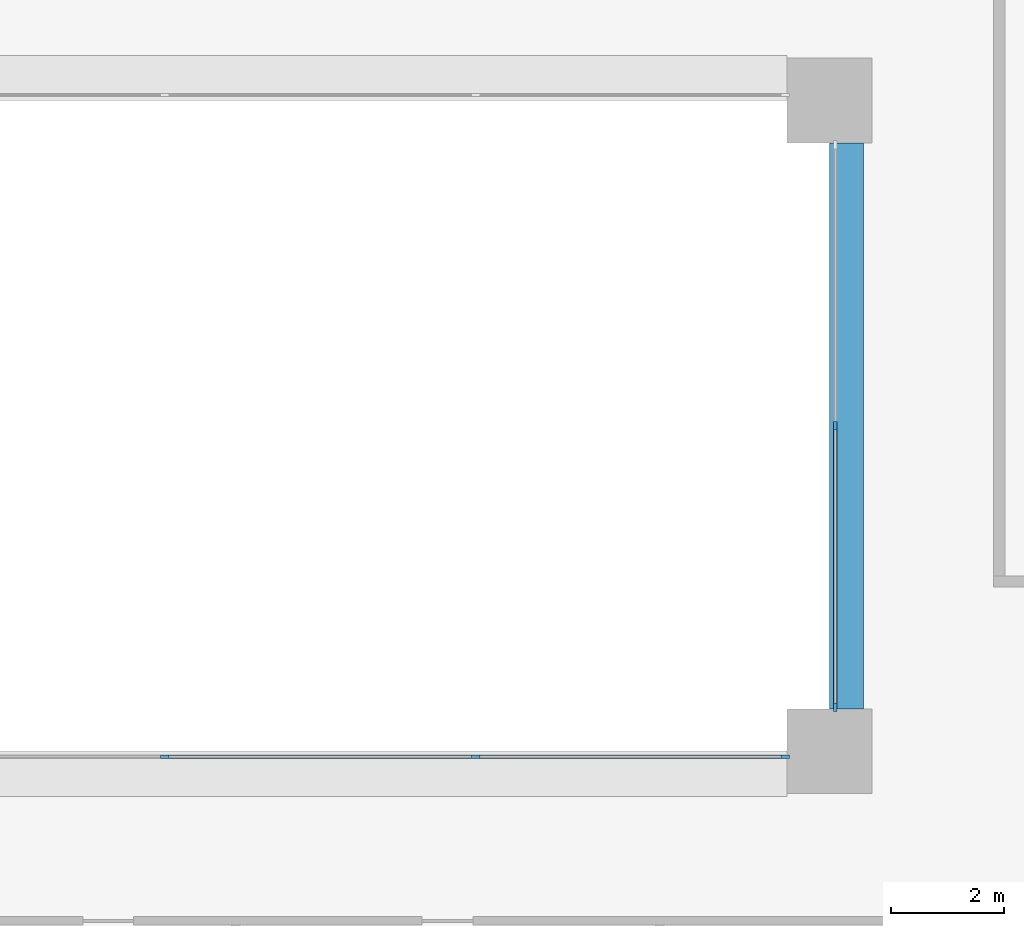
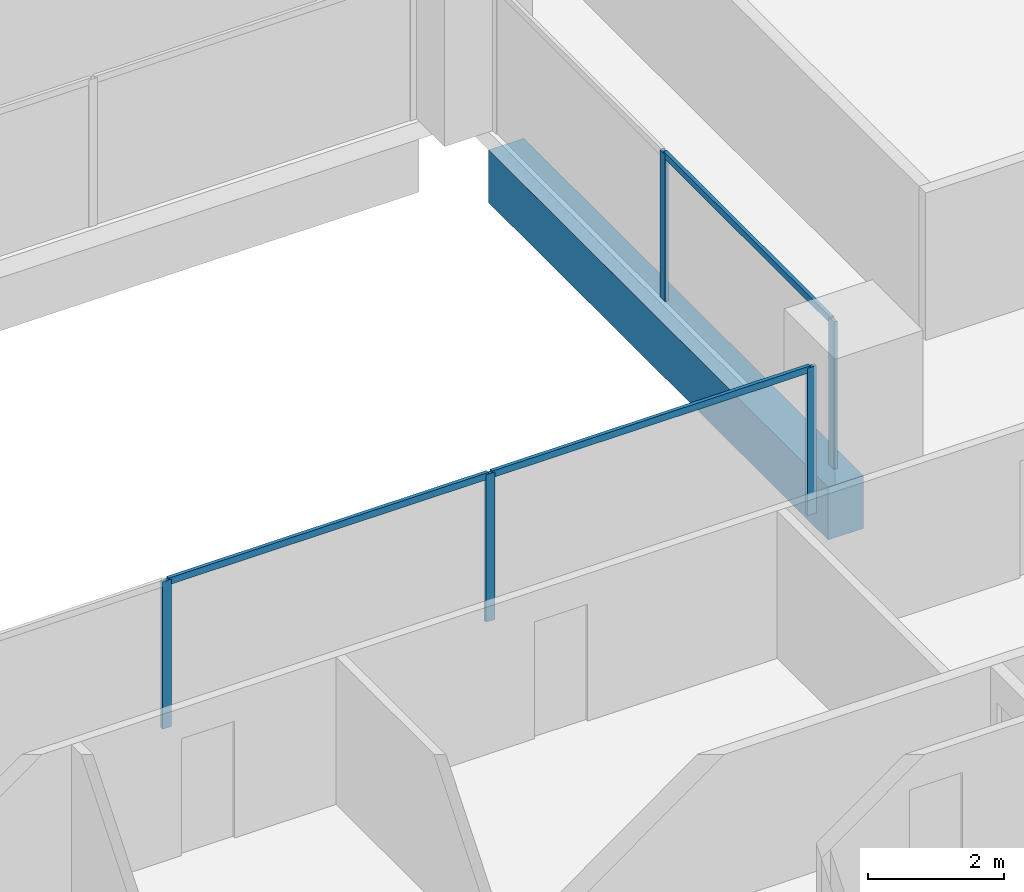
# One storey, part 4 of 20: 8 members, 1 beam, 2 elements without a shape of their own.
"""IFC4 building model written with IfcOpenShell, lengths in metres."""

from ifc_helpers import new_model, si_unit, direction, frame, origin, origin_2d, place, context, subcontext, project, spatial, rectangle, extrude, material, layer, layer_set, material_profile, profile_set, type_object, element, aggregate, save


model = new_model("IFC4")

# Units and contexts
model_context = context("Model", 3, precision=1e-05, world=origin(), true_north=direction((0.0, 1.0)))
body_context = subcontext(model_context, "Body", "Model", "MODEL_VIEW")
ifc_project = project(units=[si_unit("LENGTHUNIT", "METRE"), si_unit("AREAUNIT", "SQUARE_METRE"), si_unit("VOLUMEUNIT", "CUBIC_METRE"), si_unit("PLANEANGLEUNIT", "RADIAN"), si_unit("MASSUNIT", "GRAM", prefix="KILO")], contexts=[model_context])

# Site, building, storey
site_placement = place(None, origin())
site = spatial("IfcSite", under=ifc_project, at=site_placement, CompositionType="ELEMENT")
building_placement = place(site_placement, origin())
building = spatial("IfcBuilding", under=site, at=building_placement, Name="Brigalow Station Residences", CompositionType="ELEMENT")
storey_placement = place(building_placement, frame((0.0, 0.0, 69.89990234375)))
storey = spatial("IfcBuildingStorey", under=building, at=storey_placement, Name="L20", CompositionType="ELEMENT", Elevation=69.89990234375)

# Beam
ifc_material_1 = material(Name="Concrete C65", Category="concrete")
ifc_material_profile_1 = material_profile(ifc_material_1, rectangle(XDim=0.60009765625, YDim=0.949951171875, at=origin_2d()), Name="RC600x950")
ifc_profile_set_1 = profile_set([ifc_material_profile_1], Name="Concrete C65")
beam_type = type_object("IfcBeamType", Name="ATRIUM EDGE GIRDER 600x950 C65", PredefinedType="BEAM", material=ifc_profile_set_1)
beam_placement = place(storey_placement, frame((45.300048828125, 24.75, -0.794921875), z_axis=(0.0, 1.0, 0.0), x_axis=(-1.0, 0.0, 0.0)))
element("IfcBeam", 1, at=beam_placement, inside=storey, type_object=beam_type, Name="ATRIUM EDGE GIRDER 5 L20", PredefinedType="BEAM", context=body_context, shape_type="SweptSolid", body=[
    extrude(rectangle(XDim=0.60009765625, YDim=0.949951171875, at=origin_2d()), origin(), (0.0, 0.0, 1.0), 10.0),
])

# Curtain wall, members
ifc_material_2 = material(Name="Aluminium", Category="aluminium")
ifc_layer = layer(ifc_material_2, 0.14990234375)
ifc_layer_set = layer_set([ifc_layer], Name="ATRIUM FIRE-RATED GLAZING CURTAIN WALL")
curtain_wall_type = type_object("IfcCurtainWallType", Name="ATRIUM FIRE-RATED GLAZING CURTAIN WALL", PredefinedType="NOTDEFINED", material=ifc_layer_set)
curtain_wall_1_placement = place(storey_placement, origin())
curtain_wall_1 = element("IfcCurtainWall", 2, at=curtain_wall_1_placement, inside=storey, type_object=curtain_wall_type, Name="L20/cw/atrium-S", PredefinedType="NOTDEFINED")
ifc_material_3 = material(Name="Aluminium", Category="aluminium")
ifc_material_profile_2 = material_profile(ifc_material_3, rectangle(XDim=0.06005859375, YDim=0.14990234375, at=origin_2d()), Name="ATRIUM FIRE-RATED GLAZING MULLION 60x150")
ifc_profile_set_2 = profile_set([ifc_material_profile_2], Name="Aluminium")
member_type_1 = type_object("IfcMemberType", Name="ATRIUM FIRE-RATED GLAZING MULLION 60x150", PredefinedType="MULLION", material=ifc_profile_set_2)
member_1_placement = place(storey_placement, frame((33.25, 23.89990234375, 0.0), z_axis=(0.0, 0.0, 1.0), x_axis=(0.0, 1.0, 0.0)))
member_1 = element("IfcMember", 3, at=member_1_placement, type_object=member_type_1, Name="L20/cw/atrium-S/M01", PredefinedType="MULLION", context=body_context, shape_type="SweptSolid", body=[
    extrude(rectangle(XDim=0.06005859375, YDim=0.14990234375, at=origin_2d()), origin(), (0.0, 0.0, 1.0), 2.650146484375),
])
member_2_placement = place(storey_placement, frame((38.75, 23.89990234375, 0.0), z_axis=(0.0, 0.0, 1.0), x_axis=(0.0, 1.0, 0.0)))
member_2 = element("IfcMember", 4, at=member_2_placement, type_object=member_type_1, Name="L20/cw/atrium-S/M02", PredefinedType="MULLION", context=body_context, shape_type="SweptSolid", body=[
    extrude(rectangle(XDim=0.06005859375, YDim=0.14990234375, at=origin_2d()), origin(), (0.0, 0.0, 1.0), 2.650146484375),
])
member_3_placement = place(storey_placement, frame((44.219970703125, 23.89990234375, 0.0), z_axis=(0.0, 0.0, 1.0), x_axis=(0.0, 1.0, 0.0)))
member_3 = element("IfcMember", 5, at=member_3_placement, type_object=member_type_1, Name="L20/cw/atrium-S/M03", PredefinedType="MULLION", context=body_context, shape_type="SweptSolid", body=[
    extrude(rectangle(XDim=0.06005859375, YDim=0.14990234375, at=origin_2d()), origin(), (0.0, 0.0, 1.0), 2.650146484375),
])

curtain_wall_2_placement = place(storey_placement, origin())
curtain_wall_2 = element("IfcCurtainWall", 6, at=curtain_wall_2_placement, inside=storey, type_object=curtain_wall_type, Name="L20/cw/atrium-E", PredefinedType="NOTDEFINED")
member_4_placement = place(storey_placement, frame((45.10009765625, 24.780029296875, 0.0), z_axis=(0.0, 0.0, 1.0), x_axis=(-1.0, 0.0, 0.0)))
member_4 = element("IfcMember", 7, at=member_4_placement, type_object=member_type_1, Name="L20/cw/atrium-E/M00", PredefinedType="MULLION", context=body_context, shape_type="SweptSolid", body=[
    extrude(rectangle(XDim=0.06005859375, YDim=0.14990234375, at=origin_2d()), origin(), (0.0, 0.0, 1.0), 2.650146484375),
])
member_5_placement = place(storey_placement, frame((45.10009765625, 29.75, 0.0), z_axis=(0.0, 0.0, 1.0), x_axis=(-1.0, 0.0, 0.0)))
member_5 = element("IfcMember", 8, at=member_5_placement, type_object=member_type_1, Name="L20/cw/atrium-E/M01", PredefinedType="MULLION", context=body_context, shape_type="SweptSolid", body=[
    extrude(rectangle(XDim=0.06005859375, YDim=0.14990234375, at=origin_2d()), origin(), (0.0, 0.0, 1.0), 2.650146484375),
])

# Member
ifc_material_4 = material(Name="Aluminium", Category="aluminium")
ifc_material_profile_3 = material_profile(ifc_material_4, rectangle(XDim=0.06005859375, YDim=0.1201171875, at=origin_2d()), Name="ATRIUM FIRE-RATED GLAZING TRANSOM 60x120")
ifc_profile_set_3 = profile_set([ifc_material_profile_3], Name="Aluminium")
member_type_2 = type_object("IfcMemberType", Name="ATRIUM FIRE-RATED GLAZING TRANSOM 60x120", PredefinedType="USERDEFINED", material=ifc_profile_set_3)
member_6_placement = place(storey_placement, frame((33.280029296875, 23.89990234375, 2.6201171875), z_axis=(1.0, 0.0, 0.0), x_axis=(0.0, 1.0, 0.0)))
member_6 = element("IfcMember", 9, at=member_6_placement, type_object=member_type_2, Name="L20/cw/atrium-S/T01-00", ObjectType="TRANSOM", PredefinedType="USERDEFINED", context=body_context, shape_type="SweptSolid", body=[
    extrude(rectangle(XDim=0.06005859375, YDim=0.1201171875, at=origin_2d()), origin(), (0.0, 0.0, 1.0), 5.43994140625),
])

member_7_placement = place(storey_placement, frame((38.780029296875, 23.89990234375, 2.6201171875), z_axis=(1.0, 0.0, 0.0), x_axis=(0.0, 1.0, 0.0)))
member_7 = element("IfcMember", 10, at=member_7_placement, type_object=member_type_2, Name="L20/cw/atrium-S/T02-00", ObjectType="TRANSOM", PredefinedType="USERDEFINED", context=body_context, shape_type="SweptSolid", body=[
    extrude(rectangle(XDim=0.06005859375, YDim=0.1201171875, at=origin_2d()), origin(), (0.0, 0.0, 1.0), 5.409912109375),
])

aggregate(curtain_wall_1, [member_1, member_2, member_3, member_6, member_7])

member_8_placement = place(storey_placement, frame((45.10009765625, 24.81005859375, 2.6201171875), z_axis=(0.0, 1.0, 0.0), x_axis=(-1.0, 0.0, 0.0)))
member_8 = element("IfcMember", 11, at=member_8_placement, type_object=member_type_2, Name="L20/cw/atrium-E/T00-00", ObjectType="TRANSOM", PredefinedType="USERDEFINED", context=body_context, shape_type="SweptSolid", body=[
    extrude(rectangle(XDim=0.06005859375, YDim=0.1201171875, at=origin_2d()), origin(), (0.0, 0.0, 1.0), 4.909912109375),
])

aggregate(curtain_wall_2, [member_4, member_5, member_8])

save(model, "model.ifc")
